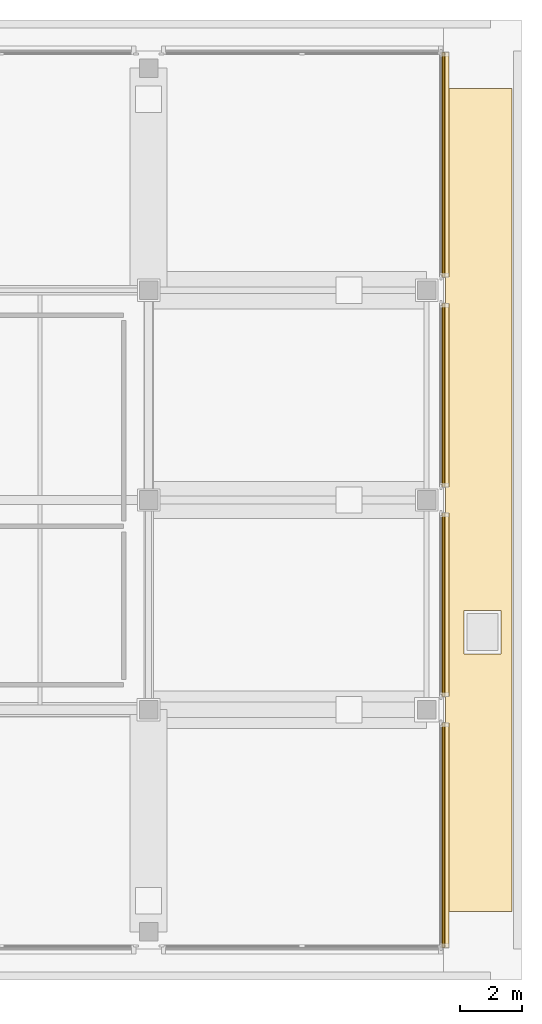
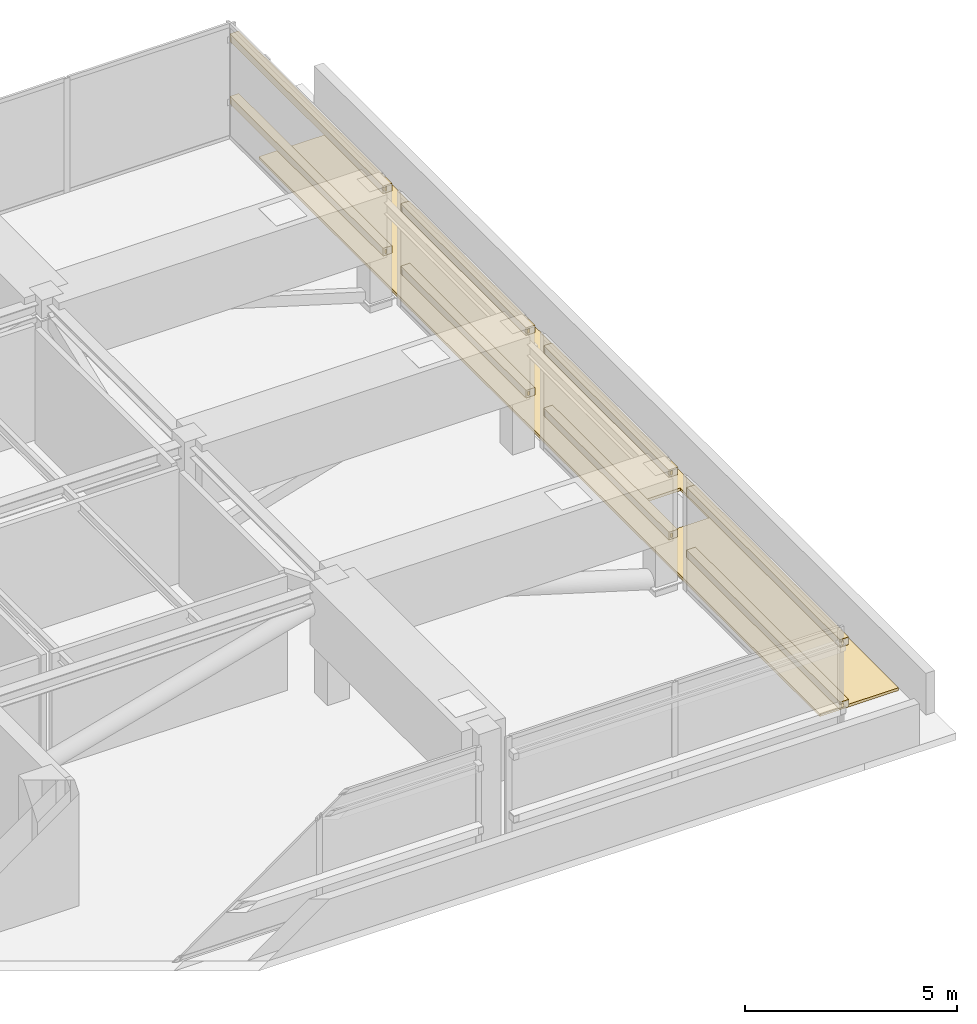
# One storey, part 10 of 10: 9 coverings, 8 shading devices.
"""IFC4 building model written with IfcOpenShell, lengths in metres."""

from ifc_helpers import new_model, si_unit, direction, frame, origin, origin_2d, place, context, subcontext, project, spatial, polyline, rectangle, outline, extrude, material, layer, layer_set, material_profile, profile_set, type_object, element, save


model = new_model("IFC4")

# Units and contexts
model_context = context("Model", 3, precision=1e-05, world=origin(), true_north=direction((0.0, 1.0)))
body_context = subcontext(model_context, "Body", "Model", "MODEL_VIEW")
ifc_project = project(units=[si_unit("LENGTHUNIT", "METRE"), si_unit("AREAUNIT", "SQUARE_METRE"), si_unit("VOLUMEUNIT", "CUBIC_METRE"), si_unit("PLANEANGLEUNIT", "RADIAN"), si_unit("MASSUNIT", "GRAM", prefix="KILO")], contexts=[model_context])

# Site, building, storey
site_placement = place(None, origin())
site = spatial("IfcSite", under=ifc_project, at=site_placement, CompositionType="ELEMENT")
building_placement = place(site_placement, origin())
building = spatial("IfcBuilding", under=site, at=building_placement, Name="Kinhvarn Gate Tower", CompositionType="ELEMENT")
storey_placement = place(building_placement, frame((0.0, 0.0, 311.050048828125)))
storey = spatial("IfcBuildingStorey", under=building, at=storey_placement, Name="L82", CompositionType="ELEMENT", Elevation=311.050048828125)

# Coverings
ifc_material_1 = material(Name="Fired architectural terracotta", Category="masonry")
ifc_layer_1 = layer(ifc_material_1, 0.239990234375)
ifc_layer_set_1 = layer_set([ifc_layer_1], Name="Fired architectural terracotta")
covering_type_1 = type_object("IfcCoveringType", Name="COV-BAG-220", PredefinedType="CLADDING", material=ifc_layer_set_1)
for number, where, name in (
    (1, (0.0, 0.0, 0.93994140625), "Terracotta Horizontal Sunscreen Band TBG-220 (L82)"),
    (2, (0.0, 0.0, 2.739990234375), "Terracotta Horizontal Sunscreen Band TBG-220 (L82)"),
):
    element("IfcCovering", number, at=place(storey_placement, frame(where)), inside=storey, type_object=covering_type_1, Name=name, PredefinedType="CLADDING", context=body_context, shape_type="SweptSolid", body=[
        extrude(outline(polyline([(36.929931640625, 10.840087890625), (36.929931640625, 18.080078125), (37.169921875, 18.080078125), (37.169921875, 10.840087890625), (36.929931640625, 10.840087890625)])), origin(), (0.0, 0.0, 1.0), 0.219970703125),
    ])
for number, where, name in (
    (3, (0.0, 0.0, 0.93994140625), "Terracotta Horizontal Sunscreen Band TBG-220 (L82)"),
    (4, (0.0, 0.0, 2.739990234375), "Terracotta Horizontal Sunscreen Band TBG-220 (L82)"),
):
    element("IfcCovering", number, at=place(storey_placement, frame(where)), inside=storey, type_object=covering_type_1, Name=name, PredefinedType="CLADDING", context=body_context, shape_type="SweptSolid", body=[
        extrude(outline(polyline([(36.929931640625, 18.919921875), (36.929931640625, 24.830078125), (37.169921875, 24.830078125), (37.169921875, 18.919921875), (36.929931640625, 18.919921875)])), origin(), (0.0, 0.0, 1.0), 0.219970703125),
    ])
for number, where, name in (
    (5, (0.0, 0.0, 0.93994140625), "Terracotta Horizontal Sunscreen Band TBG-220 (L82)"),
    (6, (0.0, 0.0, 2.739990234375), "Terracotta Horizontal Sunscreen Band TBG-220 (L82)"),
):
    element("IfcCovering", number, at=place(storey_placement, frame(where)), inside=storey, type_object=covering_type_1, Name=name, PredefinedType="CLADDING", context=body_context, shape_type="SweptSolid", body=[
        extrude(outline(polyline([(36.929931640625, 25.669921875), (36.929931640625, 31.580078125), (37.169921875, 31.580078125), (37.169921875, 25.669921875), (36.929931640625, 25.669921875)])), origin(), (0.0, 0.0, 1.0), 0.219970703125),
    ])
for number, where, name in (
    (7, (0.0, 0.0, 0.93994140625), "Terracotta Horizontal Sunscreen Band TBG-220 (L82)"),
    (8, (0.0, 0.0, 2.739990234375), "Terracotta Horizontal Sunscreen Band TBG-220 (L82)"),
):
    element("IfcCovering", number, at=place(storey_placement, frame(where)), inside=storey, type_object=covering_type_1, Name=name, PredefinedType="CLADDING", context=body_context, shape_type="SweptSolid", body=[
        extrude(outline(polyline([(36.929931640625, 32.419921875), (36.929931640625, 39.659912109375), (37.169921875, 39.659912109375), (37.169921875, 32.419921875), (36.929931640625, 32.419921875)])), origin(), (0.0, 0.0, 1.0), 0.219970703125),
    ])
ifc_material_2 = material(Name="Insulated EPDM waterproof roof build-up")
ifc_layer_2 = layer(ifc_material_2, 0.080078125)
ifc_layer_set_2 = layer_set([ifc_layer_2], Name="Insulated EPDM waterproof roof build-up")
covering_type_2 = type_object("IfcCoveringType", Name="COV-ROOF-80", PredefinedType="ROOFING", material=ifc_layer_set_2)
covering_placement = place(storey_placement, origin())
element("IfcCovering", 9, at=covering_placement, inside=storey, type_object=covering_type_2, Name="Crown Waterproof EPDM Roof Covering (L82)", PredefinedType="ROOFING", context=body_context, shape_type="SweptSolid", body=[
    extrude(outline(polyline([(37.050048828125, 12.0), (37.050048828125, 38.5), (39.199951171875, 38.5), (39.199951171875, 12.0), (37.050048828125, 12.0)]), holes=[polyline([(38.85009765625, 21.699951171875), (37.64990234375, 21.699951171875), (37.64990234375, 20.300048828125), (38.85009765625, 20.300048828125), (38.85009765625, 21.699951171875)])]), origin(), (0.0, 0.0, 1.0), 0.079833984375),
])

# Shading devices
ifc_material_profile = material_profile(ifc_material_1, rectangle(XDim=0.050048828125, YDim=0.1201171875, at=origin_2d()), Name="TC 50x120")
ifc_profile_set = profile_set([ifc_material_profile], Name="Fired architectural terracotta")
shading_device_type = type_object("IfcShadingDeviceType", Name="SHD-BAG-140", PredefinedType="USERDEFINED", material=ifc_profile_set)
for number, where, z_axis, x_axis, name in (
    (10, (37.0, 10.840087890625, 1.050048828125), (0.0, 1.0, 0.0), (-1.0, 0.0, 0.0), "Upper Tower Terracotta Baguette Screen Rod 50x120 mm (L82)"),
    (11, (37.0, 10.840087890625, 2.849853515625), (0.0, 1.0, 0.0), (-1.0, 0.0, 0.0), "Upper Tower Terracotta Baguette Screen Rod 50x120 mm (L82)"),
):
    element("IfcShadingDevice", number, at=place(storey_placement, frame(where, z_axis=z_axis, x_axis=x_axis)), inside=storey, type_object=shading_device_type, Name=name, ObjectType="BAGUETTE", PredefinedType="USERDEFINED", context=body_context, shape_type="SweptSolid", body=[
        extrude(rectangle(XDim=0.050048828125, YDim=0.1201171875, at=origin_2d()), origin(), (0.0, 0.0, 1.0), 7.239990234375),
    ])
for number, where, z_axis, x_axis, name in (
    (12, (37.0, 18.919921875, 1.050048828125), (0.0, 1.0, 0.0), (-1.0, 0.0, 0.0), "Upper Tower Terracotta Baguette Screen Rod 50x120 mm (L82)"),
    (13, (37.0, 18.919921875, 2.849853515625), (0.0, 1.0, 0.0), (-1.0, 0.0, 0.0), "Upper Tower Terracotta Baguette Screen Rod 50x120 mm (L82)"),
    (14, (37.0, 25.669921875, 1.050048828125), (0.0, 1.0, 0.0), (-1.0, 0.0, 0.0), "Upper Tower Terracotta Baguette Screen Rod 50x120 mm (L82)"),
    (15, (37.0, 25.669921875, 2.849853515625), (0.0, 1.0, 0.0), (-1.0, 0.0, 0.0), "Upper Tower Terracotta Baguette Screen Rod 50x120 mm (L82)"),
):
    element("IfcShadingDevice", number, at=place(storey_placement, frame(where, z_axis=z_axis, x_axis=x_axis)), inside=storey, type_object=shading_device_type, Name=name, ObjectType="BAGUETTE", PredefinedType="USERDEFINED", context=body_context, shape_type="SweptSolid", body=[
        extrude(rectangle(XDim=0.050048828125, YDim=0.1201171875, at=origin_2d()), origin(), (0.0, 0.0, 1.0), 5.91015625),
    ])
for number, where, z_axis, x_axis, name in (
    (16, (37.0, 32.419921875, 1.050048828125), (0.0, 1.0, 0.0), (-1.0, 0.0, 0.0), "Upper Tower Terracotta Baguette Screen Rod 50x120 mm (L82)"),
    (17, (37.0, 32.419921875, 2.849853515625), (0.0, 1.0, 0.0), (-1.0, 0.0, 0.0), "Upper Tower Terracotta Baguette Screen Rod 50x120 mm (L82)"),
):
    element("IfcShadingDevice", number, at=place(storey_placement, frame(where, z_axis=z_axis, x_axis=x_axis)), inside=storey, type_object=shading_device_type, Name=name, ObjectType="BAGUETTE", PredefinedType="USERDEFINED", context=body_context, shape_type="SweptSolid", body=[
        extrude(rectangle(XDim=0.050048828125, YDim=0.1201171875, at=origin_2d()), origin(), (0.0, 0.0, 1.0), 7.239990234375),
    ])

save(model, "model.ifc")
